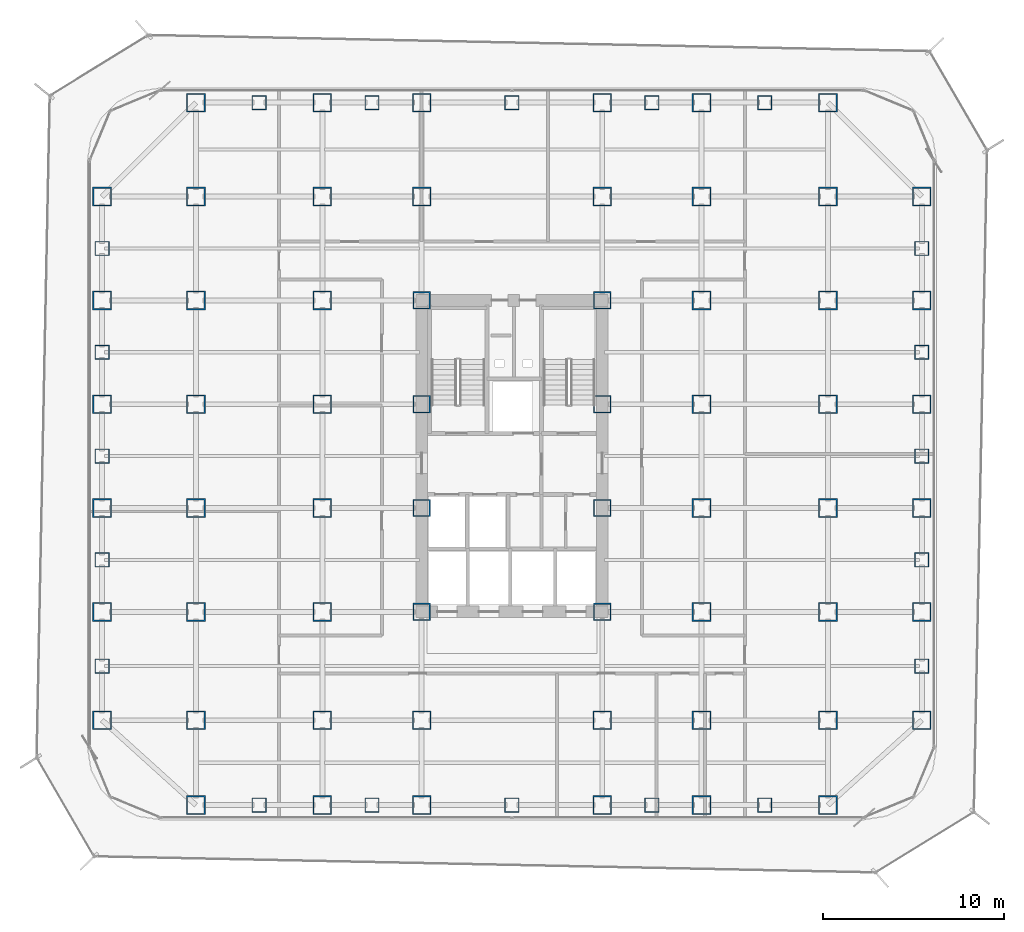
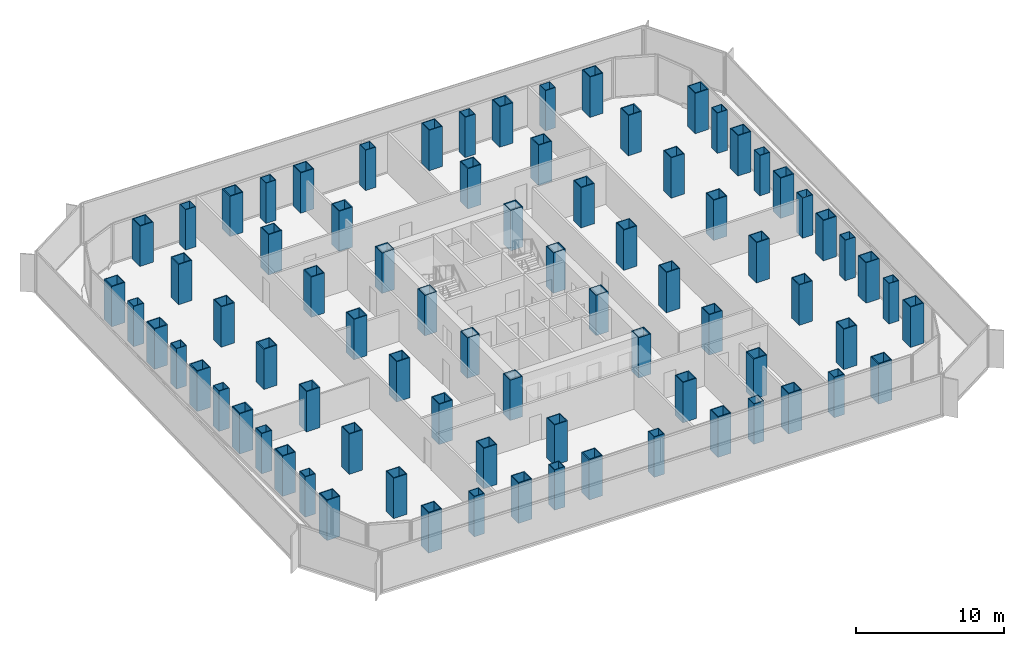
# One storey, part 1 of 21: 80 columns.
"""IFC4 building model written with IfcOpenShell, lengths in metres."""

from ifc_helpers import new_model, si_unit, direction, frame, origin, origin_2d, place, context, subcontext, project, spatial, hollow_rectangle, extrude, source, transform, mapped, material, material_profile, profile_set, type_object, element, save


model = new_model("IFC4")

# Units and contexts
model_context = context("Model", 3, precision=1e-05, world=origin(), true_north=direction((0.0, 1.0)))
body_context = subcontext(model_context, "Body", "Model", "MODEL_VIEW")
ifc_project = project(units=[si_unit("LENGTHUNIT", "METRE"), si_unit("AREAUNIT", "SQUARE_METRE"), si_unit("VOLUMEUNIT", "CUBIC_METRE"), si_unit("PLANEANGLEUNIT", "RADIAN"), si_unit("MASSUNIT", "GRAM", prefix="KILO")], contexts=[model_context])

# Site, building, storey
site_placement = place(None, origin())
site = spatial("IfcSite", under=ifc_project, at=site_placement, CompositionType="ELEMENT")
building_placement = place(site_placement, origin())
building = spatial("IfcBuilding", under=site, at=building_placement, Name="Kolveth Station Tower", CompositionType="ELEMENT")
storey_placement = place(building_placement, frame((0.0, 0.0, 44.10009765625)))
storey = spatial("IfcBuildingStorey", under=building, at=storey_placement, Name="L11", CompositionType="ELEMENT", Elevation=44.10009765625)

# Columns
ifc_material_1 = material(Name="Steel S460", Category="steel")
ifc_material_profile_1 = material_profile(ifc_material_1, hollow_rectangle(XDim=1.0400390625, YDim=1.0400390625, WallThickness=0.06494140625, at=origin_2d()), Name="BOX1040x1040x65")
ifc_profile_set_1 = profile_set([ifc_material_profile_1], Name="Steel S460")
column_type_1 = type_object("IfcColumnType", Name="Col_C2", PredefinedType="COLUMN", material=ifc_profile_set_1)
shared_shape_1 = source(origin(), body_context, "Body", "SweptSolid", [
    extrude(hollow_rectangle(XDim=1.0400390625, YDim=1.0400390625, WallThickness=0.06494140625, at=origin_2d()), origin(), (0.0, 0.0, 1.0), 3.31982421875),
])
for number, where, z_axis, x_axis, name in (
    (1, (6.0, 0.800048828125, 0.0), (0.0, 0.0, 1.0), (1.0, 0.0, 0.0), "L11 Tower Column S-X60"),
    (2, (6.0, 39.699951171875, 0.0), (0.0, 0.0, 1.0), (1.0, 0.0, 0.0), "L11 Tower Column N-X60"),
    (3, (13.0, 0.800048828125, 0.0), (0.0, 0.0, 1.0), (1.0, 0.0, 0.0), "L11 Tower Column S-X130"),
    (4, (13.0, 39.699951171875, 0.0), (0.0, 0.0, 1.0), (1.0, 0.0, 0.0), "L11 Tower Column N-X130"),
    (5, (18.5, 0.800048828125, 0.0), (0.0, 0.0, 1.0), (1.0, 0.0, 0.0), "L11 Tower Column S-X185"),
    (6, (18.5, 39.699951171875, 0.0), (0.0, 0.0, 1.0), (1.0, 0.0, 0.0), "L11 Tower Column N-X185"),
    (7, (28.5, 0.800048828125, 0.0), (0.0, 0.0, 1.0), (1.0, 0.0, 0.0), "L11 Tower Column S-X285"),
    (8, (28.5, 39.699951171875, 0.0), (0.0, 0.0, 1.0), (1.0, 0.0, 0.0), "L11 Tower Column N-X285"),
    (9, (34.0, 0.800048828125, 0.0), (0.0, 0.0, 1.0), (1.0, 0.0, 0.0), "L11 Tower Column S-X340"),
    (10, (34.0, 39.699951171875, 0.0), (0.0, 0.0, 1.0), (1.0, 0.0, 0.0), "L11 Tower Column N-X340"),
    (11, (41.0, 0.800048828125, 0.0), (0.0, 0.0, 1.0), (1.0, 0.0, 0.0), "L11 Tower Column S-X410"),
    (12, (41.0, 39.699951171875, 0.0), (0.0, 0.0, 1.0), (1.0, 0.0, 0.0), "L11 Tower Column N-X410"),
    (13, (0.800048828125, 5.5, 0.0), (0.0, 0.0, 1.0), (1.0, 0.0, 0.0), "L11 Tower Column W-Y55"),
    (14, (46.199951171875, 5.5, 0.0), (0.0, 0.0, 1.0), (1.0, 0.0, 0.0), "L11 Tower Column E-Y55"),
    (15, (0.800048828125, 11.5, 0.0), (0.0, 0.0, 1.0), (1.0, 0.0, 0.0), "L11 Tower Column W-Y115"),
    (16, (46.199951171875, 11.5, 0.0), (0.0, 0.0, 1.0), (1.0, 0.0, 0.0), "L11 Tower Column E-Y115"),
    (17, (0.800048828125, 17.25, 0.0), (0.0, 0.0, 1.0), (1.0, 0.0, 0.0), "L11 Tower Column W-Y172"),
    (18, (46.199951171875, 17.25, 0.0), (0.0, 0.0, 1.0), (1.0, 0.0, 0.0), "L11 Tower Column E-Y172"),
    (19, (0.800048828125, 23.0, 0.0), (0.0, 0.0, 1.0), (1.0, 0.0, 0.0), "L11 Tower Column W-Y230"),
    (20, (46.199951171875, 23.0, 0.0), (0.0, 0.0, 1.0), (1.0, 0.0, 0.0), "L11 Tower Column E-Y230"),
    (21, (0.800048828125, 28.75, 0.0), (0.0, 0.0, 1.0), (1.0, 0.0, 0.0), "L11 Tower Column W-Y287"),
    (22, (46.199951171875, 28.75, 0.0), (0.0, 0.0, 1.0), (1.0, 0.0, 0.0), "L11 Tower Column E-Y287"),
    (23, (0.800048828125, 34.5, 0.0), (0.0, 0.0, 1.0), (1.0, 0.0, 0.0), "L11 Tower Column W-Y345"),
    (24, (46.199951171875, 34.5, 0.0), (0.0, 0.0, 1.0), (1.0, 0.0, 0.0), "L11 Tower Column E-Y345"),
    (25, (6.0, 5.5, 0.0), (0.0, 0.0, 1.0), (1.0, 0.0, 0.0), "L11 Tower Column G-60-55"),
    (26, (6.0, 11.5, 0.0), (0.0, 0.0, 1.0), (1.0, 0.0, 0.0), "L11 Tower Column G-60-115"),
    (27, (6.0, 17.25, 0.0), (0.0, 0.0, 1.0), (1.0, 0.0, 0.0), "L11 Tower Column G-60-172"),
    (28, (6.0, 23.0, 0.0), (0.0, 0.0, 1.0), (1.0, 0.0, 0.0), "L11 Tower Column G-60-230"),
    (29, (6.0, 28.75, 0.0), (0.0, 0.0, 1.0), (1.0, 0.0, 0.0), "L11 Tower Column G-60-287"),
    (30, (6.0, 34.5, 0.0), (0.0, 0.0, 1.0), (1.0, 0.0, 0.0), "L11 Tower Column G-60-345"),
    (31, (13.0, 5.5, 0.0), (0.0, 0.0, 1.0), (1.0, 0.0, 0.0), "L11 Tower Column G-130-55"),
    (32, (13.0, 11.5, 0.0), (0.0, 0.0, 1.0), (1.0, 0.0, 0.0), "L11 Tower Column G-130-115"),
    (33, (13.0, 17.25, 0.0), (0.0, 0.0, 1.0), (1.0, 0.0, 0.0), "L11 Tower Column G-130-172"),
    (34, (13.0, 23.0, 0.0), (0.0, 0.0, 1.0), (1.0, 0.0, 0.0), "L11 Tower Column G-130-230"),
    (35, (13.0, 28.75, 0.0), (0.0, 0.0, 1.0), (1.0, 0.0, 0.0), "L11 Tower Column G-130-287"),
    (36, (13.0, 34.5, 0.0), (0.0, 0.0, 1.0), (1.0, 0.0, 0.0), "L11 Tower Column G-130-345"),
    (37, (18.5, 5.5, 0.0), (0.0, 0.0, 1.0), (1.0, 0.0, 0.0), "L11 Tower Column G-185-55"),
    (38, (18.5, 34.5, 0.0), (0.0, 0.0, 1.0), (1.0, 0.0, 0.0), "L11 Tower Column G-185-345"),
    (39, (28.5, 5.5, 0.0), (0.0, 0.0, 1.0), (1.0, 0.0, 0.0), "L11 Tower Column G-285-55"),
    (40, (28.5, 34.5, 0.0), (0.0, 0.0, 1.0), (1.0, 0.0, 0.0), "L11 Tower Column G-285-345"),
    (41, (34.0, 5.5, 0.0), (0.0, 0.0, 1.0), (1.0, 0.0, 0.0), "L11 Tower Column G-340-55"),
    (42, (34.0, 11.5, 0.0), (0.0, 0.0, 1.0), (1.0, 0.0, 0.0), "L11 Tower Column G-340-115"),
    (43, (34.0, 17.25, 0.0), (0.0, 0.0, 1.0), (1.0, 0.0, 0.0), "L11 Tower Column G-340-172"),
    (44, (34.0, 23.0, 0.0), (0.0, 0.0, 1.0), (1.0, 0.0, 0.0), "L11 Tower Column G-340-230"),
    (45, (34.0, 28.75, 0.0), (0.0, 0.0, 1.0), (1.0, 0.0, 0.0), "L11 Tower Column G-340-287"),
    (46, (34.0, 34.5, 0.0), (0.0, 0.0, 1.0), (1.0, 0.0, 0.0), "L11 Tower Column G-340-345"),
    (47, (41.0, 5.5, 0.0), (0.0, 0.0, 1.0), (1.0, 0.0, 0.0), "L11 Tower Column G-410-55"),
    (48, (41.0, 11.5, 0.0), (0.0, 0.0, 1.0), (1.0, 0.0, 0.0), "L11 Tower Column G-410-115"),
    (49, (41.0, 17.25, 0.0), (0.0, 0.0, 1.0), (1.0, 0.0, 0.0), "L11 Tower Column G-410-172"),
    (50, (41.0, 23.0, 0.0), (0.0, 0.0, 1.0), (1.0, 0.0, 0.0), "L11 Tower Column G-410-230"),
    (51, (41.0, 28.75, 0.0), (0.0, 0.0, 1.0), (1.0, 0.0, 0.0), "L11 Tower Column G-410-287"),
    (52, (41.0, 34.5, 0.0), (0.0, 0.0, 1.0), (1.0, 0.0, 0.0), "L11 Tower Column G-410-345"),
):
    element("IfcColumn", number, at=place(storey_placement, frame(where, z_axis=z_axis, x_axis=x_axis)), inside=storey, type_object=column_type_1, Name=name, PredefinedType="COLUMN", context=body_context, shape_type="MappedRepresentation", body=[
        mapped(shared_shape_1, transform((0.0, 0.0, 0.0), x_axis=(1.0, 0.0, 0.0), y_axis=(0.0, 1.0, 0.0), z_axis=(0.0, 0.0, 1.0), scale=1.0)),
    ])
ifc_material_profile_2 = material_profile(ifc_material_1, hollow_rectangle(XDim=0.9599609375, YDim=0.9599609375, WallThickness=0.06005859375, at=origin_2d()), Name="BOX960x960x60")
ifc_profile_set_2 = profile_set([ifc_material_profile_2], Name="Steel S460")
column_type_2 = type_object("IfcColumnType", Name="Col_C3", PredefinedType="COLUMN", material=ifc_profile_set_2)
shared_shape_2 = source(origin(), body_context, "Body", "SweptSolid", [
    extrude(hollow_rectangle(XDim=0.9599609375, YDim=0.9599609375, WallThickness=0.06005859375, at=origin_2d()), origin(), (0.0, 0.0, 1.0), 3.31982421875),
])
for number, where, z_axis, x_axis, name in (
    (53, (18.5, 11.5, 0.0), (0.0, 0.0, 1.0), (1.0, 0.0, 0.0), "L11 Tower Column G-185-115"),
    (54, (18.5, 17.25, 0.0), (0.0, 0.0, 1.0), (1.0, 0.0, 0.0), "L11 Tower Column G-185-172"),
    (55, (18.5, 23.0, 0.0), (0.0, 0.0, 1.0), (1.0, 0.0, 0.0), "L11 Tower Column G-185-230"),
    (56, (18.5, 28.75, 0.0), (0.0, 0.0, 1.0), (1.0, 0.0, 0.0), "L11 Tower Column G-185-287"),
    (57, (28.5, 11.5, 0.0), (0.0, 0.0, 1.0), (1.0, 0.0, 0.0), "L11 Tower Column G-285-115"),
    (58, (28.5, 17.25, 0.0), (0.0, 0.0, 1.0), (1.0, 0.0, 0.0), "L11 Tower Column G-285-172"),
    (59, (28.5, 23.0, 0.0), (0.0, 0.0, 1.0), (1.0, 0.0, 0.0), "L11 Tower Column G-285-230"),
    (60, (28.5, 28.75, 0.0), (0.0, 0.0, 1.0), (1.0, 0.0, 0.0), "L11 Tower Column G-285-287"),
):
    element("IfcColumn", number, at=place(storey_placement, frame(where, z_axis=z_axis, x_axis=x_axis)), inside=storey, type_object=column_type_2, Name=name, PredefinedType="COLUMN", context=body_context, shape_type="MappedRepresentation", body=[
        mapped(shared_shape_2, transform((0.0, 0.0, 0.0), x_axis=(1.0, 0.0, 0.0), y_axis=(0.0, 1.0, 0.0), z_axis=(0.0, 0.0, 1.0), scale=1.0)),
    ])
ifc_material_2 = material(Name="Steel S355", Category="steel")
ifc_material_profile_3 = material_profile(ifc_material_2, hollow_rectangle(XDim=0.800048828125, YDim=0.800048828125, WallThickness=0.044921875, at=origin_2d()), Name="BOX800x800x45")
ifc_profile_set_3 = profile_set([ifc_material_profile_3], Name="Steel S355")
column_type_3 = type_object("IfcColumnType", Name="Col_C5", PredefinedType="COLUMN", material=ifc_profile_set_3)
shared_shape_3 = source(origin(), body_context, "Body", "SweptSolid", [
    extrude(hollow_rectangle(XDim=0.800048828125, YDim=0.800048828125, WallThickness=0.044921875, at=origin_2d()), origin(), (0.0, 0.0, 1.0), 3.31982421875),
])
for number, where, z_axis, x_axis, name in (
    (61, (9.5, 0.800048828125, 0.0), (0.0, 0.0, 1.0), (1.0, 0.0, 0.0), "L11 Tower Column MS-X95"),
    (62, (9.5, 39.699951171875, 0.0), (0.0, 0.0, 1.0), (1.0, 0.0, 0.0), "L11 Tower Column MN-X95"),
    (63, (15.75, 0.800048828125, 0.0), (0.0, 0.0, 1.0), (1.0, 0.0, 0.0), "L11 Tower Column MS-X157"),
    (64, (15.75, 39.699951171875, 0.0), (0.0, 0.0, 1.0), (1.0, 0.0, 0.0), "L11 Tower Column MN-X157"),
    (65, (23.5, 0.800048828125, 0.0), (0.0, 0.0, 1.0), (1.0, 0.0, 0.0), "L11 Tower Column MS-X235"),
    (66, (23.5, 39.699951171875, 0.0), (0.0, 0.0, 1.0), (1.0, 0.0, 0.0), "L11 Tower Column MN-X235"),
    (67, (31.25, 0.800048828125, 0.0), (0.0, 0.0, 1.0), (1.0, 0.0, 0.0), "L11 Tower Column MS-X312"),
    (68, (31.25, 39.699951171875, 0.0), (0.0, 0.0, 1.0), (1.0, 0.0, 0.0), "L11 Tower Column MN-X312"),
    (69, (37.5, 0.800048828125, 0.0), (0.0, 0.0, 1.0), (1.0, 0.0, 0.0), "L11 Tower Column MS-X375"),
    (70, (37.5, 39.699951171875, 0.0), (0.0, 0.0, 1.0), (1.0, 0.0, 0.0), "L11 Tower Column MN-X375"),
    (71, (0.800048828125, 8.5, 0.0), (0.0, 0.0, 1.0), (1.0, 0.0, 0.0), "L11 Tower Column MW-Y85"),
    (72, (46.199951171875, 8.5, 0.0), (0.0, 0.0, 1.0), (1.0, 0.0, 0.0), "L11 Tower Column ME-Y85"),
    (73, (0.800048828125, 14.375, 0.0), (0.0, 0.0, 1.0), (1.0, 0.0, 0.0), "L11 Tower Column MW-Y143"),
    (74, (46.199951171875, 14.375, 0.0), (0.0, 0.0, 1.0), (1.0, 0.0, 0.0), "L11 Tower Column ME-Y143"),
    (75, (0.800048828125, 20.125, 0.0), (0.0, 0.0, 1.0), (1.0, 0.0, 0.0), "L11 Tower Column MW-Y201"),
    (76, (46.199951171875, 20.125, 0.0), (0.0, 0.0, 1.0), (1.0, 0.0, 0.0), "L11 Tower Column ME-Y201"),
    (77, (0.800048828125, 25.875, 0.0), (0.0, 0.0, 1.0), (1.0, 0.0, 0.0), "L11 Tower Column MW-Y258"),
    (78, (46.199951171875, 25.875, 0.0), (0.0, 0.0, 1.0), (1.0, 0.0, 0.0), "L11 Tower Column ME-Y258"),
    (79, (0.800048828125, 31.625, 0.0), (0.0, 0.0, 1.0), (1.0, 0.0, 0.0), "L11 Tower Column MW-Y316"),
    (80, (46.199951171875, 31.625, 0.0), (0.0, 0.0, 1.0), (1.0, 0.0, 0.0), "L11 Tower Column ME-Y316"),
):
    element("IfcColumn", number, at=place(storey_placement, frame(where, z_axis=z_axis, x_axis=x_axis)), inside=storey, type_object=column_type_3, Name=name, PredefinedType="COLUMN", context=body_context, shape_type="MappedRepresentation", body=[
        mapped(shared_shape_3, transform((0.0, 0.0, 0.0), x_axis=(1.0, 0.0, 0.0), y_axis=(0.0, 1.0, 0.0), z_axis=(0.0, 0.0, 1.0), scale=1.0)),
    ])

save(model, "model.ifc")
